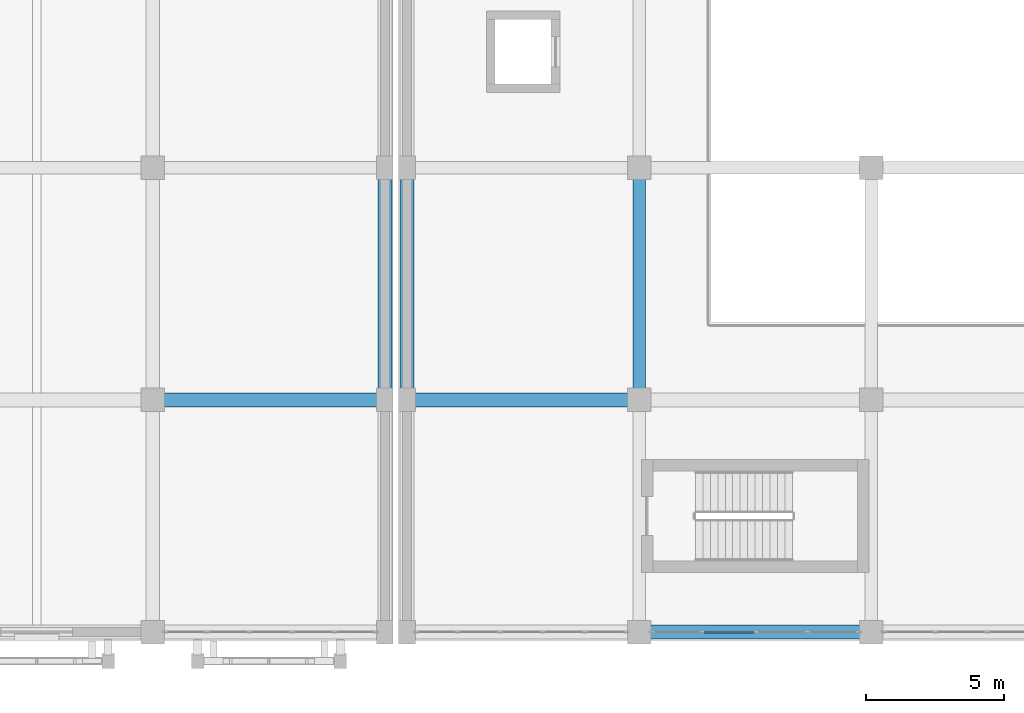
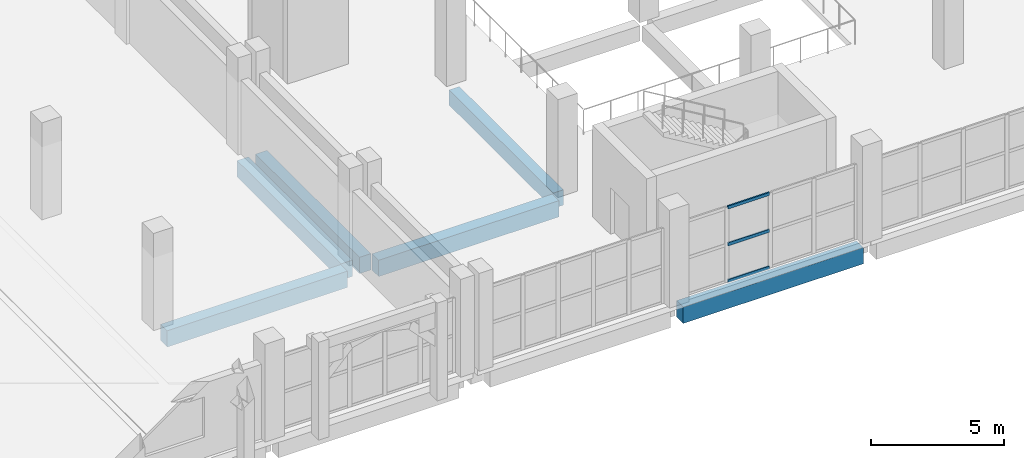
# One storey, part 32 of 137: 6 beams, 3 members, 1 element without a shape of its own.
"""IFC4 building model written with IfcOpenShell, lengths in metres."""

from ifc_helpers import new_model, si_unit, direction, frame, origin, origin_2d, place, context, subcontext, project, spatial, rectangle, hollow_rectangle, extrude, material, layer, layer_set, material_profile, profile_set, type_object, element, aggregate, save


model = new_model("IFC4")

# Units and contexts
model_context = context("Model", 3, precision=1e-05, world=origin(), true_north=direction((0.0, 1.0)))
body_context = subcontext(model_context, "Body", "Model", "MODEL_VIEW")
ifc_project = project(units=[si_unit("LENGTHUNIT", "METRE"), si_unit("AREAUNIT", "SQUARE_METRE"), si_unit("VOLUMEUNIT", "CUBIC_METRE"), si_unit("PLANEANGLEUNIT", "RADIAN"), si_unit("MASSUNIT", "GRAM", prefix="KILO")], contexts=[model_context])

# Site, building, storey
site_placement = place(None, origin())
site = spatial("IfcSite", under=ifc_project, at=site_placement, CompositionType="ELEMENT")
building_placement = place(site_placement, origin())
building = spatial("IfcBuilding", under=site, at=building_placement, Name="Xazarin Passage Department Store", CompositionType="ELEMENT")
storey_placement = place(building_placement, frame((0.0, 0.0, 5.39990234375)))
storey = spatial("IfcBuildingStorey", under=building, at=storey_placement, Name="L01", CompositionType="ELEMENT", Elevation=5.39990234375)

# Curtain wall, members
ifc_material_1 = material(Name="Bronze anodised aluminium", Category="aluminium")
ifc_layer = layer(ifc_material_1, 0.159912109375)
ifc_layer_set = layer_set([ifc_layer], Name="Bronze anodised aluminium")
curtain_wall_type = type_object("IfcCurtainWallType", Name="ARC-CW-ARC1", PredefinedType="NOTDEFINED", material=ifc_layer_set)
curtain_wall_placement = place(storey_placement, origin())
curtain_wall = element("IfcCurtainWall", 1, at=curtain_wall_placement, inside=storey, type_object=curtain_wall_type, Name="L01 V2S Curtain Wall 101", PredefinedType="NOTDEFINED")
ifc_material_profile_1 = material_profile(ifc_material_1, hollow_rectangle(XDim=0.06494140625, YDim=0.139892578125, WallThickness=0.00390625, at=origin_2d()), Name="ALU 65x140")
ifc_profile_set_1 = profile_set([ifc_material_profile_1], Name="Bronze anodised aluminium")
member_type = type_object("IfcMemberType", Name="ARC-CWT-65x140", PredefinedType="USERDEFINED", material=ifc_profile_set_1)
member_1_placement = place(storey_placement, frame((78.7451171875, 0.0, 0.03271484375), z_axis=(1.0, 0.0, 0.0), x_axis=(0.0, 1.0, 0.0)))
member_1 = element("IfcMember", 2, at=member_1_placement, type_object=member_type, Name="CW3 transom 2.1", ObjectType="TRANSOM", PredefinedType="USERDEFINED", context=body_context, shape_type="SweptSolid", body=[
    extrude(hollow_rectangle(XDim=0.06494140625, YDim=0.139892578125, WallThickness=0.00390625, at=origin_2d()), origin(), (0.0, 0.0, 1.0), 1.822265625),
])
member_2_placement = place(storey_placement, frame((78.7451171875, 0.0, 1.72509765625), z_axis=(1.0, 0.0, 0.0), x_axis=(0.0, 1.0, 0.0)))
member_2 = element("IfcMember", 3, at=member_2_placement, type_object=member_type, Name="CW3 transom 2.2", ObjectType="TRANSOM", PredefinedType="USERDEFINED", context=body_context, shape_type="SweptSolid", body=[
    extrude(hollow_rectangle(XDim=0.06494140625, YDim=0.139892578125, WallThickness=0.00390625, at=origin_2d()), origin(), (0.0, 0.0, 1.0), 1.822265625),
])
member_3_placement = place(storey_placement, frame((78.7451171875, 0.0, 3.41748046875), z_axis=(1.0, 0.0, 0.0), x_axis=(0.0, 1.0, 0.0)))
member_3 = element("IfcMember", 4, at=member_3_placement, type_object=member_type, Name="CW3 transom 2.3", ObjectType="TRANSOM", PredefinedType="USERDEFINED", context=body_context, shape_type="SweptSolid", body=[
    extrude(hollow_rectangle(XDim=0.06494140625, YDim=0.139892578125, WallThickness=0.00390625, at=origin_2d()), origin(), (0.0, 0.0, 1.0), 1.822265625),
])
aggregate(curtain_wall, [member_1, member_2, member_3])

# Beams
ifc_material_2 = material(Name="Concrete C35/45", Category="concrete")
ifc_material_profile_2 = material_profile(ifc_material_2, rectangle(XDim=0.449951171875, YDim=0.699951171875, at=origin_2d()), Name="RC 450x700")
ifc_profile_set_2 = profile_set([ifc_material_profile_2], Name="Concrete C35/45")
beam_type_1 = type_object("IfcBeamType", Name="STR-BM-G450x700", PredefinedType="BEAM", material=ifc_profile_set_2)
beam_1_placement = place(storey_placement, frame((76.39990234375, 8.679931640625, -0.64990234375), z_axis=(0.0, 1.0, 0.0), x_axis=(-1.0, 0.0, 0.0)))
element("IfcBeam", 5, at=beam_1_placement, inside=storey, type_object=beam_type_1, Name="L01 Grid Beam 11/B-C", PredefinedType="BEAM", context=body_context, shape_type="SweptSolid", body=[
    extrude(rectangle(XDim=0.449951171875, YDim=0.699951171875, at=origin_2d()), origin(), (0.0, 0.0, 1.0), 7.840087890625),
])
ifc_material_profile_3 = material_profile(ifc_material_2, rectangle(XDim=0.5, YDim=0.75, at=origin_2d()), Name="RC 500x750")
ifc_profile_set_3 = profile_set([ifc_material_profile_3], Name="Concrete C35/45")
beam_type_2 = type_object("IfcBeamType", Name="STR-BM-SP500x750", PredefinedType="SPANDREL", material=ifc_profile_set_3)
for number, where, z_axis, x_axis, name in (
    (6, (76.679931640625, 0.0, -0.6748046875), (1.0, 0.0, 0.0), (0.0, 1.0, 0.0), "L01 Grid Beam A/11-12"),
    (7, (68.280029296875, 8.39990234375, -0.6748046875), (1.0, 0.0, 0.0), (0.0, 1.0, 0.0), "L01 Grid Beam B/10-11"),
    (8, (68.0, 8.679931640625, -0.6748046875), (0.0, 1.0, 0.0), (-1.0, 0.0, 0.0), "L01 Grid Beam 10/B-C"),
):
    element("IfcBeam", number, at=place(storey_placement, frame(where, z_axis=z_axis, x_axis=x_axis)), inside=storey, type_object=beam_type_2, Name=name, PredefinedType="SPANDREL", context=body_context, shape_type="SweptSolid", body=[
        extrude(rectangle(XDim=0.5, YDim=0.75, at=origin_2d()), origin(), (0.0, 0.0, 1.0), 7.840087890625),
    ])
beam_2_placement = place(storey_placement, frame((59.080078125, 8.39990234375, -0.69482421875), z_axis=(1.0, 0.0, 0.0), x_axis=(0.0, 1.0, 0.0)))
element("IfcBeam", 9, at=beam_2_placement, inside=storey, type_object=beam_type_2, Name="L01 Grid Beam B/8-9", PredefinedType="SPANDREL", context=body_context, shape_type="SweptSolid", body=[
    extrude(rectangle(XDim=0.5, YDim=0.75, at=origin_2d()), origin(), (0.0, 0.0, 1.0), 7.83984375),
])
beam_3_placement = place(storey_placement, frame((67.199951171875, 8.679931640625, -0.69482421875), z_axis=(0.0, 1.0, 0.0), x_axis=(-1.0, 0.0, 0.0)))
element("IfcBeam", 10, at=beam_3_placement, inside=storey, type_object=beam_type_2, Name="L01 Grid Beam 9/B-C", PredefinedType="SPANDREL", context=body_context, shape_type="SweptSolid", body=[
    extrude(rectangle(XDim=0.5, YDim=0.75, at=origin_2d()), origin(), (0.0, 0.0, 1.0), 7.840087890625),
])

save(model, "model.ifc")
